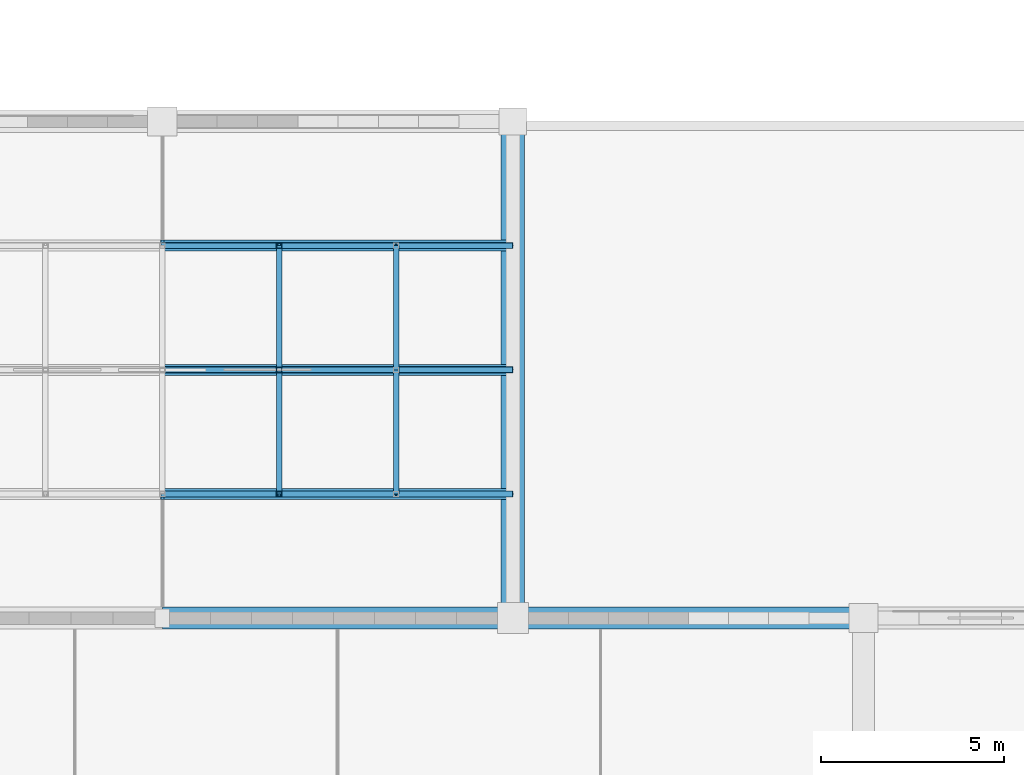
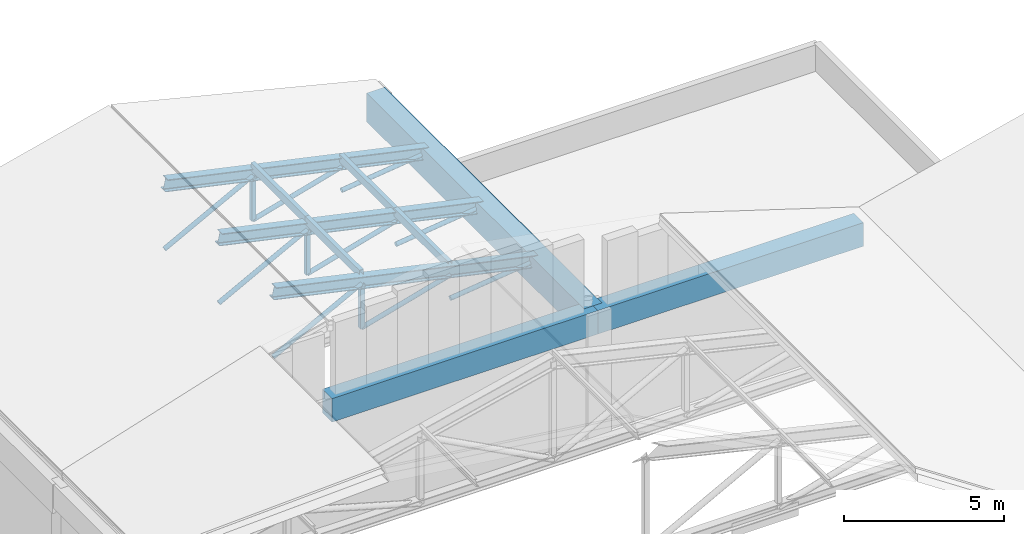
# One storey, part 21 of 61: 19 members, 3 beams.
"""IFC4 building model written with IfcOpenShell, lengths in metres."""

from ifc_helpers import new_model, si_unit, direction, frame, origin, origin_2d, place, context, subcontext, project, spatial, rectangle, hollow_rectangle, hollow_circle, i_section, extrude, material, material_profile, profile_set, type_object, element, save


model = new_model("IFC4")

# Units and contexts
model_context = context("Model", 3, precision=1e-05, world=origin(), true_north=direction((0.0, 1.0)))
body_context = subcontext(model_context, "Body", "Model", "MODEL_VIEW")
ifc_project = project(units=[si_unit("LENGTHUNIT", "METRE"), si_unit("AREAUNIT", "SQUARE_METRE"), si_unit("VOLUMEUNIT", "CUBIC_METRE"), si_unit("PLANEANGLEUNIT", "RADIAN"), si_unit("MASSUNIT", "GRAM", prefix="KILO")], contexts=[model_context])

# Site, building, storey
site_placement = place(None, origin())
site = spatial("IfcSite", under=ifc_project, at=site_placement, CompositionType="ELEMENT")
building_placement = place(site_placement, origin())
building = spatial("IfcBuilding", under=site, at=building_placement, Name="Vellmiral Cinema and Media Centre", CompositionType="ELEMENT")
storey_placement = place(building_placement, frame((0.0, 0.0, 10.800048828125)))
storey = spatial("IfcBuildingStorey", under=building, at=storey_placement, Name="L02", CompositionType="ELEMENT", Elevation=10.800048828125)

# Members
ifc_material_1 = material(Name="Steel S355", Category="steel")
ifc_material_profile_1 = material_profile(ifc_material_1, hollow_rectangle(XDim=0.14990234375, YDim=0.300048828125, WallThickness=0.010009765625, at=origin_2d()), Name="RHS 300x150x10.0")
ifc_profile_set_1 = profile_set([ifc_material_profile_1], Name="Steel S355")
member_type_1 = type_object("IfcMemberType", Name="PRL-RHS300", PredefinedType="PURLIN", material=ifc_profile_set_1)
for number, where, z_axis, x_axis, name in (
    (1, (19.199951171875, 98.60009765625, 6.210693359375), (0.0, 1.0, 0.0), (-1.0, 0.0, 0.0), "Roof Purlin 4.4.1"),
    (2, (19.199951171875, 102.0, 6.210693359375), (0.0, 1.0, 0.0), (-1.0, 0.0, 0.0), "Roof Purlin 4.4.2"),
    (3, (22.39990234375, 98.60009765625, 5.412841796875), (0.0, 1.0, 0.0), (-1.0, 0.0, 0.0), "Roof Purlin 4.5.1"),
    (4, (22.39990234375, 102.0, 5.412841796875), (0.0, 1.0, 0.0), (-1.0, 0.0, 0.0), "Roof Purlin 4.5.2"),
):
    element("IfcMember", number, at=place(storey_placement, frame(where, z_axis=z_axis, x_axis=x_axis)), inside=storey, type_object=member_type_1, Name=name, PredefinedType="PURLIN", context=body_context, shape_type="SweptSolid", body=[
        extrude(hollow_rectangle(XDim=0.14990234375, YDim=0.300048828125, WallThickness=0.010009765625, at=origin_2d()), origin(), (0.0, 0.0, 1.0), 3.39990234375),
    ])

# Beams
ifc_material_2 = material(Name="Concrete C40/50", Category="concrete")
ifc_material_profile_2 = material_profile(ifc_material_2, rectangle(XDim=0.60009765625, YDim=0.89990234375, at=origin_2d()), Name="RC 600x900")
ifc_profile_set_2 = profile_set([ifc_material_profile_2], Name="Concrete C40/50")
beam_type_1 = type_object("IfcBeamType", Name="RING-BM-600x900", PredefinedType="BEAM", material=ifc_profile_set_2)
beam_1_placement = place(storey_placement, frame((16.0, 95.199951171875, 4.349853515625), z_axis=(1.0, 0.0, 0.0), x_axis=(0.0, 1.0, 0.0)))
element("IfcBeam", 5, at=beam_1_placement, inside=storey, type_object=beam_type_1, Name="Cinema Screen 3 Ring Beam 05", PredefinedType="BEAM", context=body_context, shape_type="SweptSolid", body=[
    extrude(rectangle(XDim=0.60009765625, YDim=0.89990234375, at=origin_2d()), origin(), (0.0, 0.0, 1.0), 9.60009765625),
])
beam_2_placement = place(storey_placement, frame((25.60009765625, 95.199951171875, 4.349853515625), z_axis=(1.0, 0.0, 0.0), x_axis=(0.0, 1.0, 0.0)))
element("IfcBeam", 6, at=beam_2_placement, inside=storey, type_object=beam_type_1, Name="Cinema Screen 3 Ring Beam 06", PredefinedType="BEAM", context=body_context, shape_type="SweptSolid", body=[
    extrude(rectangle(XDim=0.60009765625, YDim=0.89990234375, at=origin_2d()), origin(), (0.0, 0.0, 1.0), 9.599853515625),
])
ifc_material_3 = material(Name="Concrete C40/50", Category="concrete")
ifc_material_profile_3 = material_profile(ifc_material_3, rectangle(XDim=0.64990234375, YDim=1.10009765625, at=origin_2d()), Name="RC 650x1100")
ifc_profile_set_3 = profile_set([ifc_material_profile_3], Name="Concrete C40/50")
beam_type_2 = type_object("IfcBeamType", Name="RING-BMG-650x1100", PredefinedType="BEAM", material=ifc_profile_set_3)
beam_3_placement = place(storey_placement, frame((25.60009765625, 95.199951171875, 4.25), z_axis=(0.0, 1.0, 0.0), x_axis=(-1.0, 0.0, 0.0)))
element("IfcBeam", 7, at=beam_3_placement, inside=storey, type_object=beam_type_2, Name="Cinema Screen 4 Ring Beam 04", PredefinedType="BEAM", context=body_context, shape_type="SweptSolid", body=[
    extrude(rectangle(XDim=0.64990234375, YDim=1.10009765625, at=origin_2d()), origin(), (0.0, 0.0, 1.0), 13.60009765625),
])

# Members
ifc_material_4 = material(Name="Steel S355", Category="steel")
ifc_material_profile_4 = material_profile(ifc_material_4, hollow_circle(Radius=0.084228515625, WallThickness=0.008056640625, at=origin_2d()), Name="CHS 168.3x8.0")
ifc_profile_set_4 = profile_set([ifc_material_profile_4], Name="Steel S355")
member_type_2 = type_object("IfcMemberType", Name="TBR-CHS168", PredefinedType="BRACE", material=ifc_profile_set_4)
member_1_placement = place(storey_placement, frame((16.0, 98.60009765625, 4.14990234375), z_axis=(0.883592703859, 0.0, 0.468256269246), x_axis=(0.0, 1.0, 0.0)))
element("IfcMember", 8, at=member_1_placement, inside=storey, type_object=member_type_2, Name="Roof Truss TR-04.1 Diagonal 4", PredefinedType="BRACE", context=body_context, shape_type="SweptSolid", body=[
    extrude(hollow_circle(Radius=0.084228515625, WallThickness=0.008056640625, at=origin_2d()), origin(), (0.0, 0.0, 1.0), 3.62158203125),
])
member_2_placement = place(storey_placement, frame((19.199951171875, 98.60009765625, 4.14990234375), z_axis=(0.962810518235, 0.0, 0.270177545286), x_axis=(0.0, 1.0, 0.0)))
element("IfcMember", 9, at=member_2_placement, inside=storey, type_object=member_type_2, Name="Roof Truss TR-04.1 Diagonal 5", PredefinedType="BRACE", context=body_context, shape_type="SweptSolid", body=[
    extrude(hollow_circle(Radius=0.084228515625, WallThickness=0.008056640625, at=origin_2d()), origin(), (0.0, 0.0, 1.0), 3.323486328125),
])
member_3_placement = place(storey_placement, frame((22.39990234375, 98.60009765625, 4.14990234375), z_axis=(0.992467733724, 0.0, 0.122506316232), x_axis=(0.0, 1.0, 0.0)))
element("IfcMember", 10, at=member_3_placement, inside=storey, type_object=member_type_2, Name="Roof Truss TR-04.1 Diagonal 6", PredefinedType="BRACE", context=body_context, shape_type="SweptSolid", body=[
    extrude(hollow_circle(Radius=0.084228515625, WallThickness=0.008056640625, at=origin_2d()), origin(), (0.0, 0.0, 1.0), 3.224365234375),
])
member_4_placement = place(storey_placement, frame((16.0, 102.0, 4.14990234375), z_axis=(0.883592703859, 0.0, 0.468256269246), x_axis=(0.0, 1.0, 0.0)))
element("IfcMember", 11, at=member_4_placement, inside=storey, type_object=member_type_2, Name="Roof Truss TR-04.2 Diagonal 4", PredefinedType="BRACE", context=body_context, shape_type="SweptSolid", body=[
    extrude(hollow_circle(Radius=0.084228515625, WallThickness=0.008056640625, at=origin_2d()), origin(), (0.0, 0.0, 1.0), 3.62158203125),
])
member_5_placement = place(storey_placement, frame((19.199951171875, 102.0, 4.14990234375), z_axis=(0.962810518235, 0.0, 0.270177545286), x_axis=(0.0, 1.0, 0.0)))
element("IfcMember", 12, at=member_5_placement, inside=storey, type_object=member_type_2, Name="Roof Truss TR-04.2 Diagonal 5", PredefinedType="BRACE", context=body_context, shape_type="SweptSolid", body=[
    extrude(hollow_circle(Radius=0.084228515625, WallThickness=0.008056640625, at=origin_2d()), origin(), (0.0, 0.0, 1.0), 3.323486328125),
])
member_6_placement = place(storey_placement, frame((22.39990234375, 102.0, 4.14990234375), z_axis=(0.992467733724, 0.0, 0.122506316232), x_axis=(0.0, 1.0, 0.0)))
element("IfcMember", 13, at=member_6_placement, inside=storey, type_object=member_type_2, Name="Roof Truss TR-04.2 Diagonal 6", PredefinedType="BRACE", context=body_context, shape_type="SweptSolid", body=[
    extrude(hollow_circle(Radius=0.084228515625, WallThickness=0.008056640625, at=origin_2d()), origin(), (0.0, 0.0, 1.0), 3.224365234375),
])
member_7_placement = place(storey_placement, frame((16.0, 105.39990234375, 4.14990234375), z_axis=(0.883592703859, 0.0, 0.468256269246), x_axis=(0.0, 1.0, 0.0)))
element("IfcMember", 14, at=member_7_placement, inside=storey, type_object=member_type_2, Name="Roof Truss TR-04.3 Diagonal 4", PredefinedType="BRACE", context=body_context, shape_type="SweptSolid", body=[
    extrude(hollow_circle(Radius=0.084228515625, WallThickness=0.008056640625, at=origin_2d()), origin(), (0.0, 0.0, 1.0), 3.62158203125),
])
member_8_placement = place(storey_placement, frame((19.199951171875, 105.39990234375, 4.14990234375), z_axis=(0.962810518235, 0.0, 0.270177545286), x_axis=(0.0, 1.0, 0.0)))
element("IfcMember", 15, at=member_8_placement, inside=storey, type_object=member_type_2, Name="Roof Truss TR-04.3 Diagonal 5", PredefinedType="BRACE", context=body_context, shape_type="SweptSolid", body=[
    extrude(hollow_circle(Radius=0.084228515625, WallThickness=0.008056640625, at=origin_2d()), origin(), (0.0, 0.0, 1.0), 3.323486328125),
])
member_9_placement = place(storey_placement, frame((22.39990234375, 105.39990234375, 4.14990234375), z_axis=(0.992467733724, 0.0, 0.122506316232), x_axis=(0.0, 1.0, 0.0)))
element("IfcMember", 16, at=member_9_placement, inside=storey, type_object=member_type_2, Name="Roof Truss TR-04.3 Diagonal 6", PredefinedType="BRACE", context=body_context, shape_type="SweptSolid", body=[
    extrude(hollow_circle(Radius=0.084228515625, WallThickness=0.008056640625, at=origin_2d()), origin(), (0.0, 0.0, 1.0), 3.224365234375),
])
ifc_material_5 = material(Name="Steel S355", Category="steel")
ifc_material_profile_5 = material_profile(ifc_material_5, hollow_rectangle(XDim=0.14990234375, YDim=0.14990234375, WallThickness=0.008056640625, at=origin_2d()), Name="SHS 150x150x8.0")
ifc_profile_set_5 = profile_set([ifc_material_profile_5], Name="Steel S355")
member_type_3 = type_object("IfcMemberType", Name="TBR-SHS150", PredefinedType="BRACE", material=ifc_profile_set_5)
for number, where, z_axis, x_axis, name in (
    (17, (19.199951171875, 98.60009765625, 4.14990234375), (0.0, 0.0, 1.0), (1.0, 0.0, 0.0), "Roof Truss TR-04.1 Post 4"),
    (18, (19.199951171875, 102.0, 4.14990234375), (0.0, 0.0, 1.0), (1.0, 0.0, 0.0), "Roof Truss TR-04.2 Post 4"),
    (19, (19.199951171875, 105.39990234375, 4.14990234375), (0.0, 0.0, 1.0), (1.0, 0.0, 0.0), "Roof Truss TR-04.3 Post 4"),
):
    element("IfcMember", number, at=place(storey_placement, frame(where, z_axis=z_axis, x_axis=x_axis)), inside=storey, type_object=member_type_3, Name=name, PredefinedType="BRACE", context=body_context, shape_type="SweptSolid", body=[
        extrude(hollow_rectangle(XDim=0.14990234375, YDim=0.14990234375, WallThickness=0.008056640625, at=origin_2d()), origin(), (0.0, 0.0, 1.0), 1.69580078125),
    ])
ifc_material_6 = material(Name="Steel S355", Category="steel")
ifc_material_profile_6 = material_profile(ifc_material_6, i_section(OverallWidth=0.300048828125, OverallDepth=0.449951171875, WebThickness=0.013916015625, FlangeThickness=0.02587890625, FilletRadius=0.027099609375, at=origin_2d()), Name="HEB 450")
ifc_profile_set_6 = profile_set([ifc_material_profile_6], Name="Steel S355")
member_type_4 = type_object("IfcMemberType", Name="TCH-HEB450", PredefinedType="CHORD", material=ifc_profile_set_6)
for number, where, z_axis, x_axis, name in (
    (20, (16.0, 98.60009765625, 6.6435546875), (0.976929506413, 0.0, -0.213562027291), (0.0, 1.0, 0.0), "Roof Truss TR-04.1 Top Chord E"),
    (21, (16.0, 102.0, 6.6435546875), (0.976929506413, 0.0, -0.213562027291), (0.0, 1.0, 0.0), "Roof Truss TR-04.2 Top Chord E"),
    (22, (16.0, 105.39990234375, 6.6435546875), (0.976929506413, 0.0, -0.213562027291), (0.0, 1.0, 0.0), "Roof Truss TR-04.3 Top Chord E"),
):
    element("IfcMember", number, at=place(storey_placement, frame(where, z_axis=z_axis, x_axis=x_axis)), inside=storey, type_object=member_type_4, Name=name, PredefinedType="CHORD", context=body_context, shape_type="SweptSolid", body=[
        extrude(i_section(OverallWidth=0.300048828125, OverallDepth=0.449951171875, WebThickness=0.013916015625, FlangeThickness=0.02587890625, FilletRadius=0.027099609375, at=origin_2d()), origin(), (0.0, 0.0, 1.0), 9.826904296875),
    ])

save(model, "model.ifc")
